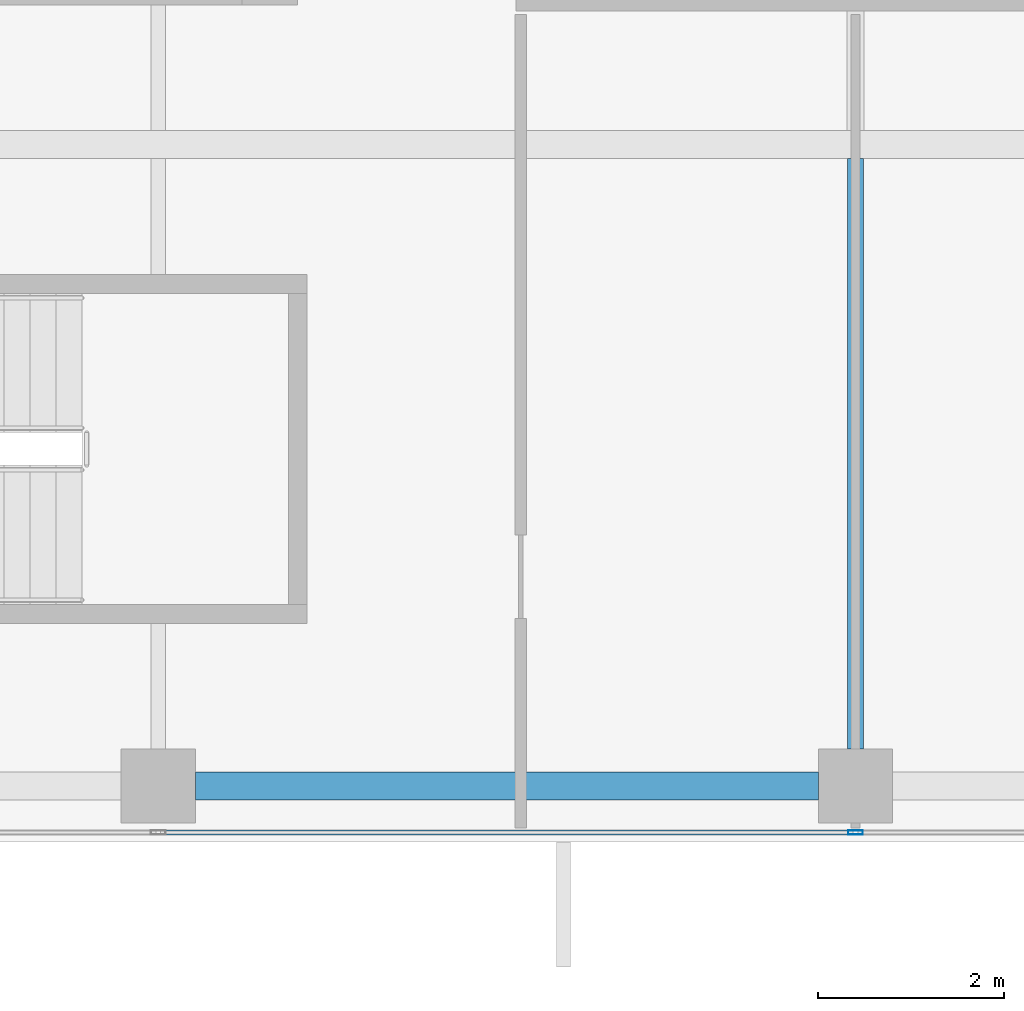
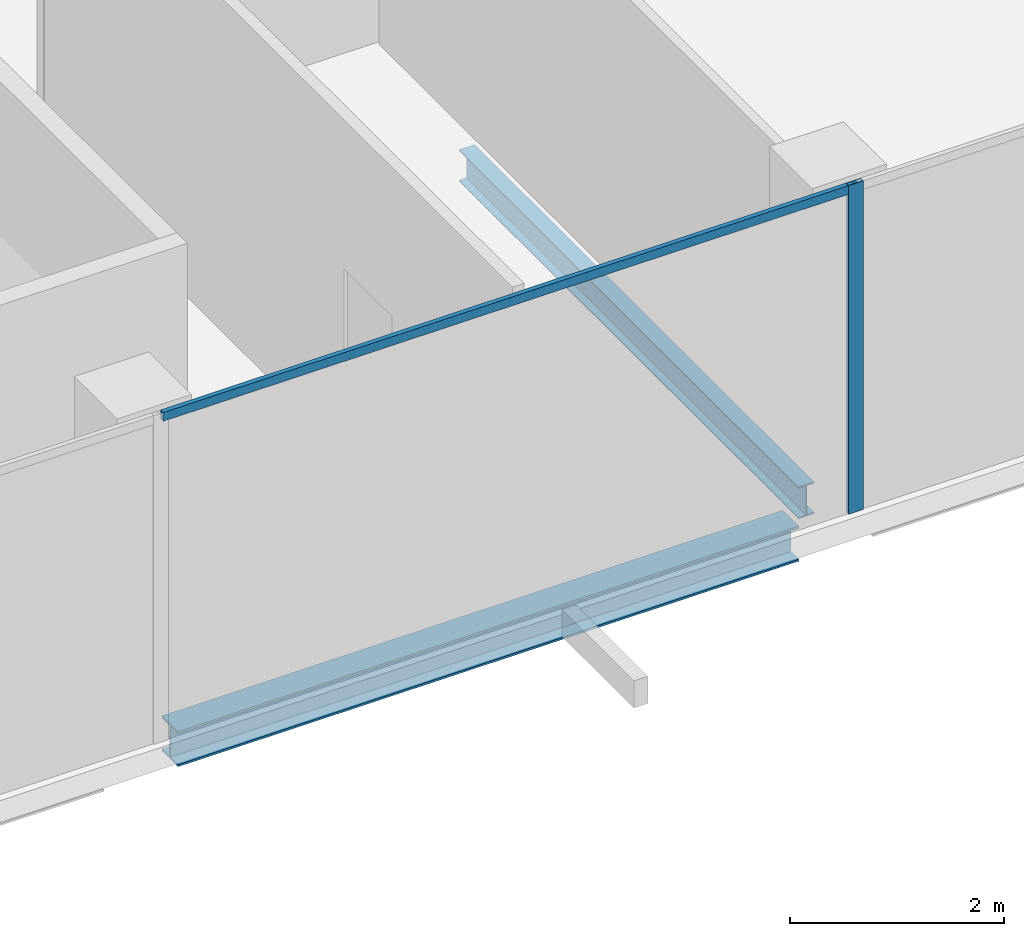
# One storey, part 5 of 29: 2 beams, 2 members, 1 element without a shape of its own.
"""IFC4 building model written with IfcOpenShell, lengths in metres."""

from ifc_helpers import new_model, si_unit, direction, frame, origin, origin_2d, place, context, subcontext, project, spatial, hollow_rectangle, i_section, extrude, source, transform, mapped, material, material_profile, profile_set, type_object, element, aggregate, save


model = new_model("IFC4")

# Units and contexts
model_context = context("Model", 3, precision=1e-05, world=origin(), true_north=direction((0.0, 1.0)))
body_context = subcontext(model_context, "Body", "Model", "MODEL_VIEW")
ifc_project = project(units=[si_unit("LENGTHUNIT", "METRE"), si_unit("AREAUNIT", "SQUARE_METRE"), si_unit("VOLUMEUNIT", "CUBIC_METRE"), si_unit("PLANEANGLEUNIT", "RADIAN"), si_unit("MASSUNIT", "GRAM", prefix="KILO")], contexts=[model_context])

# Site, building, storey
site_placement = place(None, origin())
site = spatial("IfcSite", under=ifc_project, at=site_placement, CompositionType="ELEMENT")
building_placement = place(site_placement, origin())
building = spatial("IfcBuilding", under=site, at=building_placement, Name="Khomas Fold Tower", CompositionType="ELEMENT")
storey_placement = place(building_placement, frame((0.0, 0.0, 290.199951171875)))
storey = spatial("IfcBuildingStorey", under=building, at=storey_placement, Name="L65", CompositionType="ELEMENT", Elevation=290.199951171875)

# Beams
ifc_material_1 = material(Name="Steel S355", Category="steel")
ifc_material_profile_1 = material_profile(ifc_material_1, i_section(OverallWidth=0.300048828125, OverallDepth=0.39990234375, WebThickness=0.013427734375, FlangeThickness=0.02392578125, at=origin_2d()), Name="HE 400 B")
ifc_profile_set_1 = profile_set([ifc_material_profile_1], Name="Steel S355")
beam_type_1 = type_object("IfcBeamType", Name="HE 400 B spandrel SB5", PredefinedType="SPANDREL", material=ifc_profile_set_1)
shared_shape_1 = source(origin(), body_context, "Body", "SweptSolid", [
    extrude(i_section(OverallWidth=0.300048828125, OverallDepth=0.39990234375, WebThickness=0.013427734375, FlangeThickness=0.02392578125, at=origin_2d()), origin(), (0.0, 0.0, 1.0), 6.7001953125),
])
beam_1_placement = place(storey_placement, frame((19.89990234375, 6.60009765625, -0.449951171875), z_axis=(1.0, 0.0, 0.0), x_axis=(0.0, 1.0, 0.0)))
element("IfcBeam", 1, at=beam_1_placement, inside=storey, type_object=beam_type_1, Name="SB5", PredefinedType="SPANDREL", context=body_context, shape_type="MappedRepresentation", body=[
    mapped(shared_shape_1, transform((0.0, 0.0, 0.0))),
])
ifc_material_2 = material(Name="Steel S355", Category="steel")
ifc_material_profile_2 = material_profile(ifc_material_2, i_section(OverallWidth=0.169921875, OverallDepth=0.360107421875, WebThickness=0.008056640625, FlangeThickness=0.0126953125, at=origin_2d()), Name="IPE 360")
ifc_profile_set_2 = profile_set([ifc_material_profile_2], Name="Steel S355")
beam_type_2 = type_object("IfcBeamType", Name="IPE 360 beam JB2", PredefinedType="BEAM", material=ifc_profile_set_2)
shared_shape_2 = source(origin(), body_context, "Body", "SweptSolid", [
    extrude(i_section(OverallWidth=0.169921875, OverallDepth=0.360107421875, WebThickness=0.008056640625, FlangeThickness=0.0126953125, at=origin_2d()), origin(), (0.0, 0.0, 1.0), 6.35009765625),
])
beam_2_placement = place(storey_placement, frame((27.0, 7.0, -0.429931640625), z_axis=(0.0, 1.0, 0.0), x_axis=(-1.0, 0.0, 0.0)))
element("IfcBeam", 2, at=beam_2_placement, inside=storey, type_object=beam_type_2, Name="JB2", PredefinedType="BEAM", context=body_context, shape_type="MappedRepresentation", body=[
    mapped(shared_shape_2, transform((0.0, 0.0, 0.0))),
])

# Curtain wall, members
ifc_material_3 = material(Name="Aluminium framed double glazing", Category="aluminium")
curtain_wall_type = type_object("IfcCurtainWallType", Name="SK-Unitised clear-glass wall, upper floors CW3", PredefinedType="NOTDEFINED", material=ifc_material_3)
curtain_wall_placement = place(storey_placement, origin())
curtain_wall = element("IfcCurtainWall", 3, at=curtain_wall_placement, inside=storey, type_object=curtain_wall_type, Name="CW3 run L65 00-0", PredefinedType="NOTDEFINED")
ifc_material_4 = material(Name="Aluminium", Category="aluminium")
ifc_material_profile_3 = material_profile(ifc_material_4, hollow_rectangle(XDim=0.050048828125, YDim=0.159912109375, WallThickness=0.00390625, at=origin_2d()), Name="SK-Unitised clear-glass wall, upper floors mullion CW3-M")
ifc_profile_set_3 = profile_set([ifc_material_profile_3], Name="Aluminium")
member_type_1 = type_object("IfcMemberType", Name="SK-Unitised clear-glass wall, upper floors mullion CW3-M", PredefinedType="MULLION", material=ifc_profile_set_3)
shared_shape_3 = source(origin(), body_context, "Body", "SweptSolid", [
    extrude(hollow_rectangle(XDim=0.050048828125, YDim=0.159912109375, WallThickness=0.00390625, at=origin_2d()), origin(), (0.0, 0.0, 1.0), 3.75),
])
member_1_placement = place(storey_placement, frame((27.0, 6.10009765625, 0.0), z_axis=(0.0, 0.0, 1.0), x_axis=(0.0, 1.0, 0.0)))
member_1 = element("IfcMember", 4, at=member_1_placement, type_object=member_type_1, Name="CW3 mullion 4", PredefinedType="MULLION", context=body_context, shape_type="MappedRepresentation", body=[
    mapped(shared_shape_3, transform((0.0, 0.0, 0.0))),
])
ifc_material_5 = material(Name="Aluminium", Category="aluminium")
ifc_material_profile_4 = material_profile(ifc_material_5, hollow_rectangle(XDim=0.050048828125, YDim=0.10009765625, WallThickness=0.00390625, at=origin_2d()), Name="SK-Unitised clear-glass wall, upper floors transom CW3-T")
ifc_profile_set_4 = profile_set([ifc_material_profile_4], Name="Aluminium")
member_type_2 = type_object("IfcMemberType", Name="SK-Unitised clear-glass wall, upper floors transom CW3-T", PredefinedType="USERDEFINED", material=ifc_profile_set_4)
shared_shape_4 = source(origin(), body_context, "Body", "SweptSolid", [
    extrude(hollow_rectangle(XDim=0.050048828125, YDim=0.10009765625, WallThickness=0.00390625, at=origin_2d()), origin(), (0.0, 0.0, 1.0), 7.4501953125),
])
member_2_placement = place(storey_placement, frame((19.52490234375, 6.10009765625, 3.699951171875), z_axis=(1.0, 0.0, 0.0), x_axis=(0.0, 1.0, 0.0)))
member_2 = element("IfcMember", 5, at=member_2_placement, type_object=member_type_2, Name="CW3 transom 3", ObjectType="TRANSOM", PredefinedType="USERDEFINED", context=body_context, shape_type="MappedRepresentation", body=[
    mapped(shared_shape_4, transform((0.0, 0.0, 0.0))),
])
aggregate(curtain_wall, [member_1, member_2])

save(model, "model.ifc")
